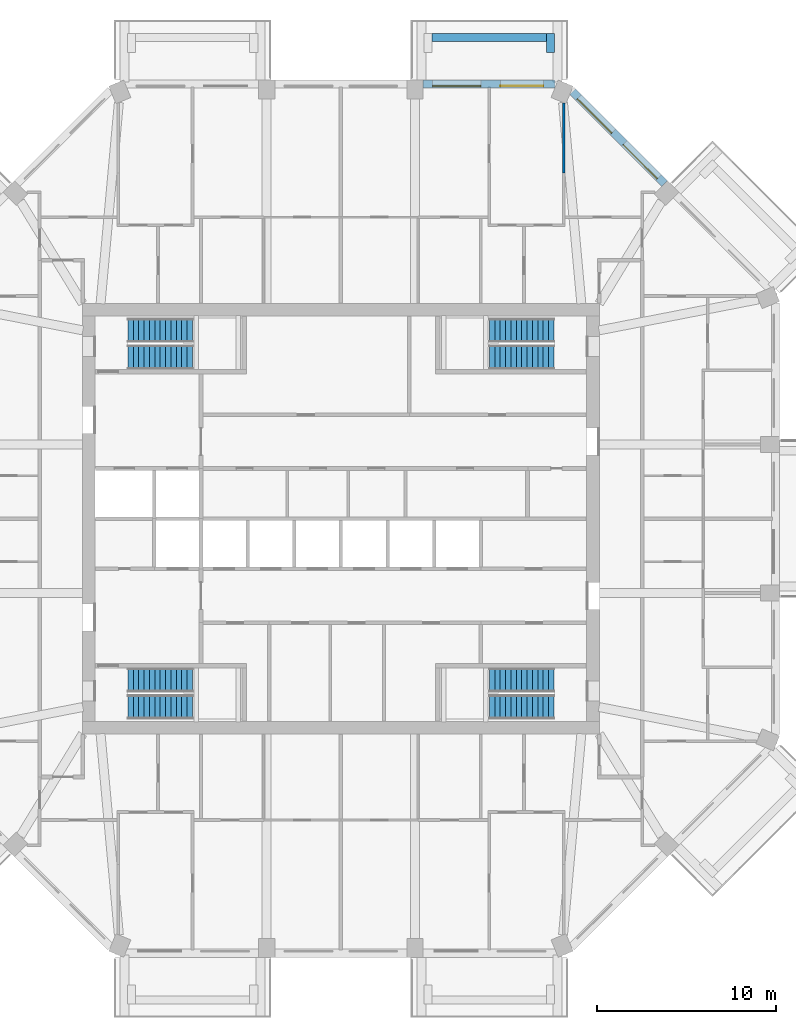
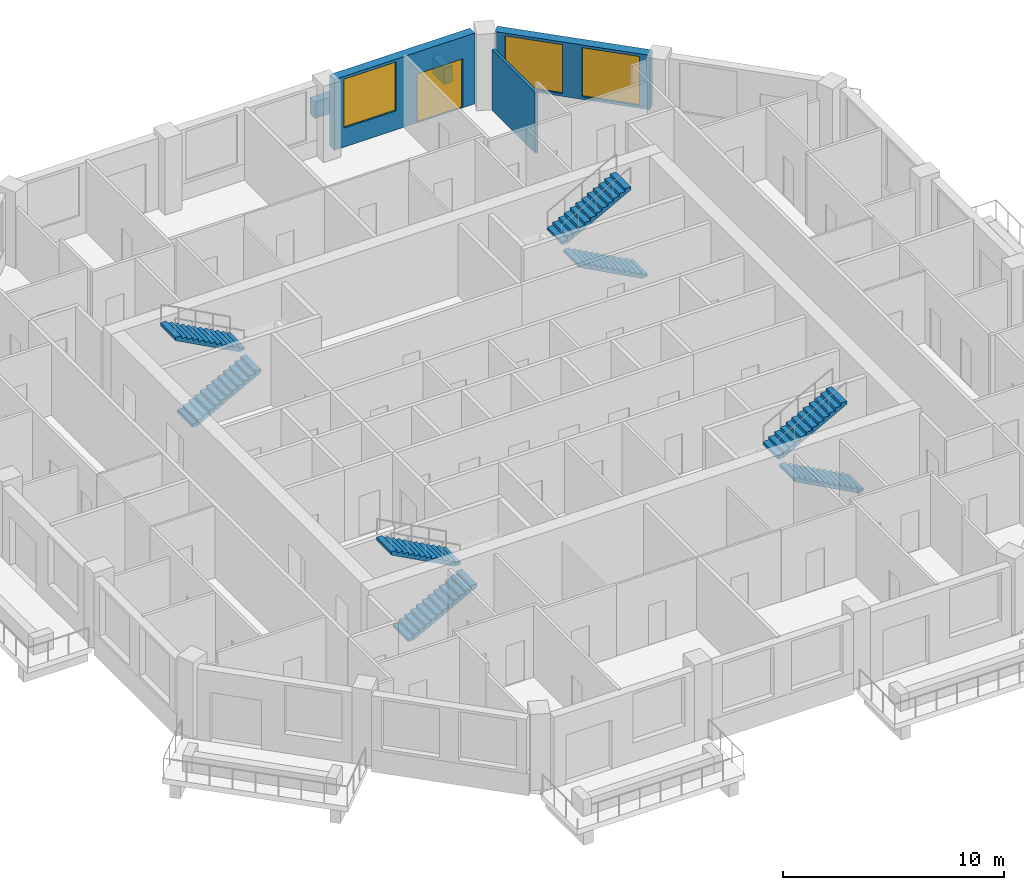
# One storey, part 10 of 12: 8 stair flights, 5 walls, 3 windows, 1 door, 4 openings, 4 elements without a shape of their own.
"""IFC4 building model written with IfcOpenShell, lengths in metres."""

import ifcopenshell
import ifcopenshell.guid

model = None  # the IFC model being written
_history = None  # IfcOwnerHistory: only IFC2X3 demands one
_inside = {}  # id of a spatial element -> (the spatial element, [elements in it])
_under = {}  # id of a project, library or spatial element -> (it, [spatial elements below it])
_declared = {}  # id of a project -> (the project, [libraries it declares])
_typed = {}  # id of a type object -> (the type object, [elements of that type])
_made_of = {}  # id of a material, layer set ... -> (it, [elements and type objects made of it])


def new_model(schema):
    """Start an empty IFC model of exactly this schema.

    Asked for "IFC4X3", IfcOpenShell would pick the latest addendum, in which some entities
    have other attributes; the version numbers below select the first issue.
    IFC2X3 requires an IfcOwnerHistory on every rooted entity: one is made here for all.
    """
    global model, _history
    if schema == "IFC4X3":
        model = ifcopenshell.file(schema_version=(4, 3, 0, 0))
    else:
        model = ifcopenshell.file(schema=schema)
    _inside.clear()
    _under.clear()
    _declared.clear()
    _typed.clear()
    _made_of.clear()
    _history = None
    if model.schema == "IFC2X3":
        org = make("IfcOrganization", Name="unknown")
        user = make(
            "IfcPersonAndOrganization",
            ThePerson=make("IfcPerson", FamilyName="unknown"),
            TheOrganization=org,
        )
        app = make(
            "IfcApplication",
            ApplicationDeveloper=org,
            Version="unknown",
            ApplicationFullName="unknown",
            ApplicationIdentifier="unknown",
        )
        _history = make(
            "IfcOwnerHistory",
            OwningUser=user,
            OwningApplication=app,
            ChangeAction="ADDED",
            CreationDate=0,
        )
    return model


def make(cls, **values):
    """One entity of the class cls with the attributes given. An attribute that is None is left unset."""
    return model.create_entity(
        cls, **{name: value for name, value in values.items() if value is not None}
    )


def rooted(cls, **values):
    """An entity with a GlobalId (a new one), such as an element, a storey or a relation."""
    return make(cls, GlobalId=ifcopenshell.guid.new(), OwnerHistory=_history, **values)


def si_unit(unit_type, name, prefix=None):
    """IfcSIUnit, for example si_unit("LENGTHUNIT", "METRE", prefix="MILLI")."""
    return make("IfcSIUnit", UnitType=unit_type, Prefix=prefix, Name=name)


def assignment(units):
    """IfcUnitAssignment: the units of a project."""
    return None if units is None else make("IfcUnitAssignment", Units=units)


def point(xyz):
    """IfcCartesianPoint."""
    return None if xyz is None else make("IfcCartesianPoint", Coordinates=xyz)


def direction(xyz):
    """IfcDirection."""
    return None if xyz is None else make("IfcDirection", DirectionRatios=xyz)


def frame(location, z_axis=None, x_axis=None):
    """IfcAxis2Placement3D, a coordinate frame: its origin and axes. An axis left out is left unset."""
    return make(
        "IfcAxis2Placement3D",
        Location=point(location),
        Axis=direction(z_axis),
        RefDirection=direction(x_axis),
    )


def frame_2d(location, x_axis=None):
    """IfcAxis2Placement2D, a coordinate frame in the plane: its origin and x axis."""
    return make(
        "IfcAxis2Placement2D", Location=point(location), RefDirection=direction(x_axis)
    )


def origin():
    """The frame at (0, 0, 0) with its axes left unset."""
    return frame((0.0, 0.0, 0.0))


def place(relative_to, where):
    """IfcLocalPlacement: puts the frame where relative to a parent placement (None: the world)."""
    return make(
        "IfcLocalPlacement", PlacementRelTo=relative_to, RelativePlacement=where
    )


def context(
    kind, dimensions, precision=None, world=None, true_north=None, identifier=None
):
    """IfcGeometricRepresentationContext, for example the 3D "Model" context."""
    return make(
        "IfcGeometricRepresentationContext",
        ContextIdentifier=identifier,
        ContextType=kind,
        CoordinateSpaceDimension=dimensions,
        Precision=precision,
        WorldCoordinateSystem=world,
        TrueNorth=true_north,
    )


def subcontext(parent, identifier, kind, view, scale=None):
    """IfcGeometricRepresentationSubContext, for example "Body" below "Model"."""
    return make(
        "IfcGeometricRepresentationSubContext",
        ContextIdentifier=identifier,
        ContextType=kind,
        ParentContext=parent,
        TargetScale=scale,
        TargetView=view,
    )


def project(units=None, contexts=None):
    """IfcProject with its units and contexts."""
    return rooted(
        "IfcProject",
        Name="project",
        RepresentationContexts=contexts,
        UnitsInContext=assignment(units),
    )


def spatial(cls, under=None, at=None, **own):
    """A site, building, storey or space (cls), placed at a placement, below another one or the project."""
    s = rooted(cls, ObjectPlacement=at, **own)
    if under is not None:
        _under.setdefault(under.id(), (under, []))[1].append(s)
    return s


def polyline(points):
    """IfcPolyline through the points."""
    return make("IfcPolyline", Points=[point(p) for p in points])


def profile(cls, at=None, kind="AREA", **sizes):
    """A parametric profile (cls). Its sizes go by their IFC names, for example OverallWidth=200.0."""
    return make(cls, ProfileType=kind, Position=at, **sizes)


def rectangle(**sizes):
    """IfcRectangleProfileDef."""
    return profile("IfcRectangleProfileDef", **sizes)


def outline(outer, holes=None, kind="AREA"):
    """IfcArbitraryClosedProfileDef: a profile drawn as a closed curve; with holes, ...WithVoids."""
    if holes is None:
        return make("IfcArbitraryClosedProfileDef", ProfileType=kind, OuterCurve=outer)
    return make(
        "IfcArbitraryProfileDefWithVoids",
        ProfileType=kind,
        OuterCurve=outer,
        InnerCurves=holes,
    )


def extrude(swept, where, along, depth):
    """IfcExtrudedAreaSolid: the profile swept, set in the frame where, extruded along a direction by depth."""
    return make(
        "IfcExtrudedAreaSolid",
        SweptArea=swept,
        Position=where,
        ExtrudedDirection=direction(along),
        Depth=depth,
    )


def shape(context_of_items, identifier, shape_type, items):
    """IfcShapeRepresentation: the items that make up one representation, for example the "Body"."""
    return make(
        "IfcShapeRepresentation",
        ContextOfItems=context_of_items,
        RepresentationIdentifier=identifier,
        RepresentationType=shape_type,
        Items=items,
    )


def material(Name=None, Category=None):
    """IfcMaterial."""
    return make("IfcMaterial", Name=Name, Category=Category)


def layer(
    of_material, thickness, ventilated=None, Name=None, Category=None, Priority=None
):
    """IfcMaterialLayer: one layer of a wall or slab, of a material (None: an air gap)."""
    return make(
        "IfcMaterialLayer",
        Material=of_material,
        LayerThickness=thickness,
        IsVentilated=ventilated,
        Name=Name,
        Category=Category,
        Priority=Priority,
    )


def layer_set(layers, Name=None):
    """IfcMaterialLayerSet."""
    return make("IfcMaterialLayerSet", MaterialLayers=layers, LayerSetName=Name)


def made_of(thing, what):
    """Note that an element or type object is made of a material, layer set ...; save() writes the relation."""
    if what is not None:
        _made_of.setdefault(what.id(), (what, []))[1].append(thing)
    return thing


def type_object(cls, material=None, **own):
    """A type object (cls), such as IfcWallType, which elements share."""
    return made_of(rooted(cls, **own), material)


def element(
    cls,
    number,
    at=None,
    inside=None,
    cuts=None,
    type_object=None,
    material=None,
    context=None,
    identifier="Body",
    shape_type=None,
    held_by="IfcProductDefinitionShape",
    body=None,
    shapes=None,
    **own,
):
    """One element of the class cls, such as IfcWall. Its Tag is "e" and its number.

    at: its placement. inside: the storey or other place that contains it. cuts: it is an
    opening in that element (IfcRelVoidsElement). A single representation is given by context,
    identifier, shape_type and body (its items); several are given by shapes. held_by: the class
    of the entity that holds the representations. save() writes the other relations.
    """
    e = rooted(cls, Tag="e%d" % number, ObjectPlacement=at, **own)
    if body is not None:
        shapes = [shape(context, identifier, shape_type, body)]
    if shapes is not None:
        e.Representation = make(held_by, Representations=shapes)
    if inside is not None:
        _inside.setdefault(inside.id(), (inside, []))[1].append(e)
    if cuts is not None:
        rooted(
            "IfcRelVoidsElement", RelatingBuildingElement=cuts, RelatedOpeningElement=e
        )
    if type_object is not None:
        _typed.setdefault(type_object.id(), (type_object, []))[1].append(e)
    return made_of(e, material)


def fill(opening, filler):
    """IfcRelFillsElement: the door or window that sits in an opening."""
    return rooted(
        "IfcRelFillsElement",
        RelatingOpeningElement=opening,
        RelatedBuildingElement=filler,
    )


def aggregate(whole, parts):
    """IfcRelAggregates: a whole, such as a stair, and the parts it consists of."""
    return rooted("IfcRelAggregates", RelatingObject=whole, RelatedObjects=parts)


def save(model, path):
    """Write the relations noted so far, then the file.

    IfcRelAggregates (storeys below a building ...), IfcRelContainedInSpatialStructure (elements
    in a storey), IfcRelDefinesByType, IfcRelAssociatesMaterial and IfcRelDeclares: one each for
    every whole, place, type object, material and project.
    """
    for whole, parts in _under.values():
        aggregate(whole, parts)
    for where, things in _inside.values():
        rooted(
            "IfcRelContainedInSpatialStructure",
            RelatedElements=things,
            RelatingStructure=where,
        )
    for kind, things in _typed.values():
        rooted("IfcRelDefinesByType", RelatedObjects=things, RelatingType=kind)
    for what, things in _made_of.values():
        rooted("IfcRelAssociatesMaterial", RelatedObjects=things, RelatingMaterial=what)
    for by, libraries in _declared.values():
        rooted("IfcRelDeclares", RelatingContext=by, RelatedDefinitions=libraries)
    model.write(path)


model = new_model("IFC4")

# Units and contexts
model_context = context("Model", 3, precision=1e-05, world=origin(), true_north=direction((0.0, 1.0)))
body_context = subcontext(model_context, "Body", "Model", "MODEL_VIEW")
ifc_project = project(units=[si_unit("LENGTHUNIT", "METRE"), si_unit("AREAUNIT", "SQUARE_METRE"), si_unit("VOLUMEUNIT", "CUBIC_METRE"), si_unit("PLANEANGLEUNIT", "RADIAN"), si_unit("MASSUNIT", "GRAM", prefix="KILO")], contexts=[model_context])

# Site, building, storey
site_placement = place(None, origin())
site = spatial("IfcSite", under=ifc_project, at=site_placement, CompositionType="ELEMENT")
building_placement = place(site_placement, origin())
building = spatial("IfcBuilding", under=site, at=building_placement, Name="Msitu Wima Residences", CompositionType="ELEMENT")
storey_placement = place(building_placement, frame((0.0, 0.0, 174.89990234375)))
storey = spatial("IfcBuildingStorey", under=building, at=storey_placement, Name="L40", CompositionType="ELEMENT", Elevation=174.89990234375)

# Walls
ifc_material_1 = material(Name="Facing brick")
ifc_layer_1 = layer(ifc_material_1, 0.06494140625, Name="Facing brick")
ifc_material_2 = material(Name="Concrete C40/50", Category="concrete")
ifc_layer_2 = layer(ifc_material_2, 0.156005859375, Name="Concrete C40/50")
ifc_material_3 = material(Name="Waterproofing membrane")
ifc_layer_3 = layer(ifc_material_3, 0.00390625, Name="Waterproofing membrane")
ifc_material_4 = material(Name="Planting soil and planting")
ifc_layer_4 = layer(ifc_material_4, 0.22509765625, Name="Planting soil and planting")
ifc_layer_set_1 = layer_set([ifc_layer_1, ifc_layer_2, ifc_layer_3, ifc_layer_4], Name="Concrete C40/50")
wall_type_1 = type_object("IfcWallType", Name="Balcony planter PLANTER PL450", PredefinedType="USERDEFINED", material=ifc_layer_set_1)
wall_1_placement = place(storey_placement, frame((11.461669921875, 26.824951171875, 0.0), z_axis=(0.0, 0.0, 1.0), x_axis=(-1.0, 0.0, 0.0)))
element("IfcWall", 1, at=wall_1_placement, inside=storey, type_object=wall_type_1, Name="Balcony planter N0 L40", ObjectType="PLANTER", PredefinedType="USERDEFINED", context=body_context, shape_type="SweptSolid", body=[
    extrude(rectangle(XDim=6.37451171875, YDim=0.449951171875, at=frame_2d((3.187255859375, 0.0))), origin(), (0.0, 0.0, 1.0), 0.900146484375),
])
wall_2_placement = place(storey_placement, frame((11.686767578125, 26.0, 0.0), z_axis=(0.0, 0.0, 1.0), x_axis=(0.0, 1.0, 0.0)))
element("IfcWall", 2, at=wall_2_placement, inside=storey, type_object=wall_type_1, Name="Balcony planter N0 L40", ObjectType="PLANTER", PredefinedType="USERDEFINED", context=body_context, shape_type="SweptSolid", body=[
    extrude(rectangle(XDim=1.050048828125, YDim=0.449951171875, at=frame_2d((0.52490234375, 0.0))), origin(), (0.0, 0.0, 1.0), 0.900146484375),
])

# Wall, openings, windows
ifc_material_5 = material(Name="Brick (red buff mix)", Category="masonry")
ifc_layer_5 = layer(ifc_material_5, 0.449951171875)
ifc_layer_set_2 = layer_set([ifc_layer_5], Name="Brick (red buff mix)")
wall_type_2 = type_object("IfcWallType", Name="Brick infill wall BW450", PredefinedType="SOLIDWALL", material=ifc_layer_set_2)
wall_3_placement = place(storey_placement, frame((18.046875, 18.68310546875, 0.900146484375), z_axis=(0.0, 0.0, 1.0), x_axis=(-0.707106781187, 0.707106781187, 0.0)))
wall_3 = element("IfcWall", 3, at=wall_3_placement, inside=storey, type_object=wall_type_2, Name="Brick infill wall L40 NE1", PredefinedType="SOLIDWALL", context=body_context, shape_type="SweptSolid", body=[
    extrude(rectangle(XDim=7.257080078125, YDim=0.449951171875, at=frame_2d((3.62841796875, 0.0))), origin(), (0.0, 0.0, 1.0), 3.0),
])
opening_1_placement = place(wall_3_placement, frame((0.478515625, 0.0, 0.14990234375)))
opening_1 = element("IfcOpeningElement", 4, at=opening_1_placement, cuts=wall_3, Name="Opening W40-42.011", PredefinedType="OPENING", context=body_context, shape_type="SweptSolid", body=[
    extrude(rectangle(XDim=2.699951171875, YDim=2.699951171875, at=frame_2d((1.35009765625, 1.35009765625))), frame((0.0, 0.23486328125, 0.0), z_axis=(0.0, -1.0, 0.0), x_axis=(1.0, 0.0, 0.0)), (0.0, 0.0, 1.0), 0.469970703125),
])
opening_2_placement = place(wall_3_placement, frame((4.07861328125, 0.0, 0.14990234375)))
opening_2 = element("IfcOpeningElement", 5, at=opening_2_placement, cuts=wall_3, Name="Opening W40-42.012", PredefinedType="OPENING", context=body_context, shape_type="SweptSolid", body=[
    extrude(rectangle(XDim=2.699951171875, YDim=2.699951171875, at=frame_2d((1.35009765625, 1.35009765625))), frame((0.0, 0.23486328125, 0.0), z_axis=(0.0, -1.0, 0.0), x_axis=(1.0, 0.0, 0.0)), (0.0, 0.0, 1.0), 0.469970703125),
])
ifc_material_6 = material(Name="Anodised aluminium, bronze finish, clear low-emissivity double glazing", Category="aluminium")
window_type = type_object("IfcWindowType", Name="Window W2700x2700", PartitioningType="DOUBLE_PANEL_VERTICAL", PredefinedType="WINDOW", material=ifc_material_6)
window_1_placement = place(opening_1_placement, origin())
window_1 = element("IfcWindow", 6, at=window_1_placement, inside=storey, type_object=window_type, Name="Window L40 NE1.1", OverallHeight=2.699951171875, OverallWidth=2.699951171875, PartitioningType="SINGLE_PANEL", PredefinedType="WINDOW", context=body_context, shape_type="SweptSolid", body=[
    extrude(rectangle(XDim=2.699951171875, YDim=2.699951171875, at=frame_2d((1.35009765625, 1.35009765625))), frame((0.0, 0.135009765625, 0.0), z_axis=(0.0, -1.0, 0.0), x_axis=(1.0, 0.0, 0.0)), (0.0, 0.0, 1.0), 0.06005859375),
])
fill(opening_1, window_1)
window_2_placement = place(opening_2_placement, origin())
window_2 = element("IfcWindow", 7, at=window_2_placement, inside=storey, type_object=window_type, Name="Window L40 NE1.2", OverallHeight=2.699951171875, OverallWidth=2.699951171875, PartitioningType="SINGLE_PANEL", PredefinedType="WINDOW", context=body_context, shape_type="SweptSolid", body=[
    extrude(rectangle(XDim=2.699951171875, YDim=2.699951171875, at=frame_2d((1.35009765625, 1.35009765625))), frame((0.0, 0.135009765625, 0.0), z_axis=(0.0, -1.0, 0.0), x_axis=(1.0, 0.0, 0.0)), (0.0, 0.0, 1.0), 0.06005859375),
])
fill(opening_2, window_2)

# Wall, openings, door, window
wall_4_placement = place(storey_placement, frame((11.9248046875, 24.22509765625, 0.0), z_axis=(0.0, 0.0, 1.0), x_axis=(-1.0, 0.0, 0.0)))
wall_4 = element("IfcWall", 8, at=wall_4_placement, inside=storey, type_object=wall_type_2, Name="Brick infill wall L40 N0", PredefinedType="SOLIDWALL", context=body_context, shape_type="SweptSolid", body=[
    extrude(rectangle(XDim=7.337646484375, YDim=0.449951171875, at=frame_2d((3.6689453125, 0.0))), origin(), (0.0, 0.0, 1.0), 3.900146484375),
])
opening_3_placement = place(wall_4_placement, frame((0.63427734375, 0.0, 0.0)))
opening_3 = element("IfcOpeningElement", 9, at=opening_3_placement, cuts=wall_4, Name="Opening D40-42.002", PredefinedType="OPENING", context=body_context, shape_type="SweptSolid", body=[
    extrude(rectangle(XDim=2.39990234375, YDim=2.699951171875, at=frame_2d((1.199951171875, 1.35009765625))), frame((0.0, 0.23486328125, 0.0), z_axis=(0.0, -1.0, 0.0), x_axis=(1.0, 0.0, 0.0)), (0.0, 0.0, 1.0), 0.469970703125),
])
opening_4_placement = place(wall_4_placement, frame((4.11865234375, 0.0, 1.050048828125)))
opening_4 = element("IfcOpeningElement", 10, at=opening_4_placement, cuts=wall_4, Name="Opening W40-42.006", PredefinedType="OPENING", context=body_context, shape_type="SweptSolid", body=[
    extrude(rectangle(XDim=2.699951171875, YDim=2.699951171875, at=frame_2d((1.35009765625, 1.35009765625))), frame((0.0, 0.23486328125, 0.0), z_axis=(0.0, -1.0, 0.0), x_axis=(1.0, 0.0, 0.0)), (0.0, 0.0, 1.0), 0.469970703125),
])
door_type = type_object("IfcDoorType", Name="Balcony door D2400x2700", OperationType="SLIDING_TO_LEFT", PredefinedType="DOOR", material=ifc_material_6)
door_placement = place(opening_3_placement, origin())
door = element("IfcDoor", 11, at=door_placement, inside=storey, type_object=door_type, Name="Balcony door L40 N0", OperationType="SINGLE_SWING_LEFT", OverallHeight=2.699951171875, OverallWidth=2.39990234375, PredefinedType="DOOR", context=body_context, shape_type="SweptSolid", body=[
    extrude(rectangle(XDim=2.39990234375, YDim=2.699951171875, at=frame_2d((1.199951171875, 1.35009765625))), frame((0.0, 0.1298828125, 0.0), z_axis=(0.0, -1.0, 0.0), x_axis=(1.0, 0.0, 0.0)), (0.0, 0.0, 1.0), 0.050048828125),
])
fill(opening_3, door)
window_3_placement = place(opening_4_placement, origin())
window_3 = element("IfcWindow", 12, at=window_3_placement, inside=storey, type_object=window_type, Name="Window L40 N0.2", OverallHeight=2.699951171875, OverallWidth=2.699951171875, PartitioningType="SINGLE_PANEL", PredefinedType="WINDOW", context=body_context, shape_type="SweptSolid", body=[
    extrude(rectangle(XDim=2.699951171875, YDim=2.699951171875, at=frame_2d((1.35009765625, 1.35009765625))), frame((0.0, 0.135009765625, 0.0), z_axis=(0.0, -1.0, 0.0), x_axis=(1.0, 0.0, 0.0)), (0.0, 0.0, 1.0), 0.06005859375),
])
fill(opening_4, window_3)

# Wall
ifc_material_7 = material(Name="Plaster")
ifc_layer_6 = layer(ifc_material_7, 0.011962890625, Name="Plaster")
ifc_material_8 = material(Name="Concrete blockwork", Category="masonry")
ifc_layer_7 = layer(ifc_material_8, 0.1259765625, Name="Concrete blockwork")
ifc_layer_8 = layer(ifc_material_7, 0.011962890625, Name="Plaster")
ifc_layer_set_3 = layer_set([ifc_layer_6, ifc_layer_7, ifc_layer_8], Name="Concrete blockwork")
wall_type_3 = type_object("IfcWallType", Name="Partition PW150", PredefinedType="PARTITIONING", material=ifc_layer_set_3)
wall_5_placement = place(storey_placement, frame((12.411865234375, 19.2705078125, 0.0), z_axis=(0.0, 0.0, 1.0), x_axis=(0.0, 1.0, 0.0)))
element("IfcWall", 13, at=wall_5_placement, inside=storey, type_object=wall_type_3, Name="Partition", PredefinedType="PARTITIONING", context=body_context, shape_type="SweptSolid", body=[
    extrude(rectangle(XDim=3.8984375, YDim=0.14990234375, at=frame_2d((1.94921875, 0.0))), origin(), (0.0, 0.0, 1.0), 3.35009765625),
])

# Stair, stair flights
stair_type = type_object("IfcStairType", Name="Exit stair ES1615-135", PredefinedType="HALF_TURN_STAIR", material=ifc_material_2)
stair_1_placement = place(storey_placement, origin())
stair_1 = element("IfcStair", 14, at=stair_1_placement, inside=storey, type_object=stair_type, Name="Exit stair 1", PredefinedType="HALF_TURN_STAIR")
stair_flight_type = type_object("IfcStairFlightType", Name="Exit stair flight ES1615-135", PredefinedType="STRAIGHT", material=ifc_material_2)
stair_flight_1_placement = place(storey_placement, frame((-11.875, 9.0, 0.0), z_axis=(0.0, 0.0, 1.0), x_axis=(1.0, 0.0, 0.0)))
stair_flight_1 = element("IfcStairFlight", 15, at=stair_flight_1_placement, type_object=stair_flight_type, Name="S1 flight 1", NumberOfRisers=13, NumberOfTreads=12, PredefinedType="STRAIGHT", RiserHeight=0.161538462, TreadLength=0.3, context=body_context, shape_type="SweptSolid", body=[
    extrude(outline(polyline([(0.0, 0.0), (0.0, 0.16162109375), (0.300048828125, 0.16162109375), (0.300048828125, 0.322998046875), (0.60009765625, 0.322998046875), (0.60009765625, 0.484619140625), (0.89990234375, 0.484619140625), (0.89990234375, 0.646240234375), (1.199951171875, 0.646240234375), (1.199951171875, 0.8076171875), (1.5, 0.8076171875), (1.5, 0.96923828125), (1.800048828125, 0.96923828125), (1.800048828125, 1.130859375), (2.10009765625, 1.130859375), (2.10009765625, 1.292236328125), (2.39990234375, 1.292236328125), (2.39990234375, 1.453857421875), (2.699951171875, 1.453857421875), (2.699951171875, 1.615478515625), (3.0, 1.615478515625), (3.0, 1.77685546875), (3.300048828125, 1.77685546875), (3.300048828125, 1.9384765625), (3.60009765625, 1.9384765625), (3.60009765625, 2.10009765625), (3.60009765625, 1.768310546875), (0.316162109375, 0.0), (0.0, 0.0)])), frame((0.0, 0.675048828125, 0.0), z_axis=(0.0, -1.0, 0.0), x_axis=(1.0, 0.0, 0.0)), (0.0, 0.0, 1.0), 1.35009765625),
])
stair_flight_2_placement = place(storey_placement, frame((-8.27490234375, 10.5, 2.10009765625), z_axis=(0.0, 0.0, 1.0), x_axis=(-1.0, 0.0, 0.0)))
stair_flight_2 = element("IfcStairFlight", 16, at=stair_flight_2_placement, type_object=stair_flight_type, Name="S1 flight 2", NumberOfRisers=13, NumberOfTreads=12, PredefinedType="STRAIGHT", RiserHeight=0.161538462, TreadLength=0.3, context=body_context, shape_type="SweptSolid", body=[
    extrude(outline(polyline([(0.0, 0.0), (0.0, 0.16162109375), (0.300048828125, 0.16162109375), (0.300048828125, 0.322998046875), (0.60009765625, 0.322998046875), (0.60009765625, 0.484619140625), (0.89990234375, 0.484619140625), (0.89990234375, 0.646240234375), (1.199951171875, 0.646240234375), (1.199951171875, 0.8076171875), (1.5, 0.8076171875), (1.5, 0.96923828125), (1.800048828125, 0.96923828125), (1.800048828125, 1.130859375), (2.10009765625, 1.130859375), (2.10009765625, 1.292236328125), (2.39990234375, 1.292236328125), (2.39990234375, 1.453857421875), (2.699951171875, 1.453857421875), (2.699951171875, 1.615478515625), (3.0, 1.615478515625), (3.0, 1.77685546875), (3.300048828125, 1.77685546875), (3.300048828125, 1.9384765625), (3.60009765625, 1.9384765625), (3.60009765625, 2.10009765625), (3.60009765625, 1.768310546875), (0.316162109375, 0.0), (0.0, 0.0)])), frame((0.0, 0.675048828125, 0.0), z_axis=(0.0, -1.0, 0.0), x_axis=(1.0, 0.0, 0.0)), (0.0, 0.0, 1.0), 1.35009765625),
])
aggregate(stair_1, [stair_flight_1, stair_flight_2])

stair_2_placement = place(storey_placement, origin())
stair_2 = element("IfcStair", 17, at=stair_2_placement, inside=storey, type_object=stair_type, Name="Exit stair 2", PredefinedType="HALF_TURN_STAIR")
stair_flight_3_placement = place(storey_placement, frame((-11.875, -10.5, 0.0), z_axis=(0.0, 0.0, 1.0), x_axis=(1.0, 0.0, 0.0)))
stair_flight_3 = element("IfcStairFlight", 18, at=stair_flight_3_placement, type_object=stair_flight_type, Name="S2 flight 1", NumberOfRisers=13, NumberOfTreads=12, PredefinedType="STRAIGHT", RiserHeight=0.161538462, TreadLength=0.3, context=body_context, shape_type="SweptSolid", body=[
    extrude(outline(polyline([(0.0, 0.0), (0.0, 0.16162109375), (0.300048828125, 0.16162109375), (0.300048828125, 0.322998046875), (0.60009765625, 0.322998046875), (0.60009765625, 0.484619140625), (0.89990234375, 0.484619140625), (0.89990234375, 0.646240234375), (1.199951171875, 0.646240234375), (1.199951171875, 0.8076171875), (1.5, 0.8076171875), (1.5, 0.96923828125), (1.800048828125, 0.96923828125), (1.800048828125, 1.130859375), (2.10009765625, 1.130859375), (2.10009765625, 1.292236328125), (2.39990234375, 1.292236328125), (2.39990234375, 1.453857421875), (2.699951171875, 1.453857421875), (2.699951171875, 1.615478515625), (3.0, 1.615478515625), (3.0, 1.77685546875), (3.300048828125, 1.77685546875), (3.300048828125, 1.9384765625), (3.60009765625, 1.9384765625), (3.60009765625, 2.10009765625), (3.60009765625, 1.768310546875), (0.316162109375, 0.0), (0.0, 0.0)])), frame((0.0, 0.675048828125, 0.0), z_axis=(0.0, -1.0, 0.0), x_axis=(1.0, 0.0, 0.0)), (0.0, 0.0, 1.0), 1.35009765625),
])
stair_flight_4_placement = place(storey_placement, frame((-8.27490234375, -9.0, 2.10009765625), z_axis=(0.0, 0.0, 1.0), x_axis=(-1.0, 0.0, 0.0)))
stair_flight_4 = element("IfcStairFlight", 19, at=stair_flight_4_placement, type_object=stair_flight_type, Name="S2 flight 2", NumberOfRisers=13, NumberOfTreads=12, PredefinedType="STRAIGHT", RiserHeight=0.161538462, TreadLength=0.3, context=body_context, shape_type="SweptSolid", body=[
    extrude(outline(polyline([(0.0, 0.0), (0.0, 0.16162109375), (0.300048828125, 0.16162109375), (0.300048828125, 0.322998046875), (0.60009765625, 0.322998046875), (0.60009765625, 0.484619140625), (0.89990234375, 0.484619140625), (0.89990234375, 0.646240234375), (1.199951171875, 0.646240234375), (1.199951171875, 0.8076171875), (1.5, 0.8076171875), (1.5, 0.96923828125), (1.800048828125, 0.96923828125), (1.800048828125, 1.130859375), (2.10009765625, 1.130859375), (2.10009765625, 1.292236328125), (2.39990234375, 1.292236328125), (2.39990234375, 1.453857421875), (2.699951171875, 1.453857421875), (2.699951171875, 1.615478515625), (3.0, 1.615478515625), (3.0, 1.77685546875), (3.300048828125, 1.77685546875), (3.300048828125, 1.9384765625), (3.60009765625, 1.9384765625), (3.60009765625, 2.10009765625), (3.60009765625, 1.768310546875), (0.316162109375, 0.0), (0.0, 0.0)])), frame((0.0, 0.675048828125, 0.0), z_axis=(0.0, -1.0, 0.0), x_axis=(1.0, 0.0, 0.0)), (0.0, 0.0, 1.0), 1.35009765625),
])
aggregate(stair_2, [stair_flight_3, stair_flight_4])

stair_3_placement = place(storey_placement, origin())
stair_3 = element("IfcStair", 20, at=stair_3_placement, inside=storey, type_object=stair_type, Name="Exit stair 3", PredefinedType="HALF_TURN_STAIR")
stair_flight_5_placement = place(storey_placement, frame((11.875, 9.0, 0.0), z_axis=(0.0, 0.0, 1.0), x_axis=(-1.0, 0.0, 0.0)))
stair_flight_5 = element("IfcStairFlight", 21, at=stair_flight_5_placement, type_object=stair_flight_type, Name="S3 flight 1", NumberOfRisers=13, NumberOfTreads=12, PredefinedType="STRAIGHT", RiserHeight=0.161538462, TreadLength=0.3, context=body_context, shape_type="SweptSolid", body=[
    extrude(outline(polyline([(0.0, 0.0), (0.0, 0.16162109375), (0.300048828125, 0.16162109375), (0.300048828125, 0.322998046875), (0.60009765625, 0.322998046875), (0.60009765625, 0.484619140625), (0.89990234375, 0.484619140625), (0.89990234375, 0.646240234375), (1.199951171875, 0.646240234375), (1.199951171875, 0.8076171875), (1.5, 0.8076171875), (1.5, 0.96923828125), (1.800048828125, 0.96923828125), (1.800048828125, 1.130859375), (2.10009765625, 1.130859375), (2.10009765625, 1.292236328125), (2.39990234375, 1.292236328125), (2.39990234375, 1.453857421875), (2.699951171875, 1.453857421875), (2.699951171875, 1.615478515625), (3.0, 1.615478515625), (3.0, 1.77685546875), (3.300048828125, 1.77685546875), (3.300048828125, 1.9384765625), (3.60009765625, 1.9384765625), (3.60009765625, 2.10009765625), (3.60009765625, 1.768310546875), (0.316162109375, 0.0), (0.0, 0.0)])), frame((0.0, 0.675048828125, 0.0), z_axis=(0.0, -1.0, 0.0), x_axis=(1.0, 0.0, 0.0)), (0.0, 0.0, 1.0), 1.35009765625),
])
stair_flight_6_placement = place(storey_placement, frame((8.27490234375, 10.5, 2.10009765625), z_axis=(0.0, 0.0, 1.0), x_axis=(1.0, 0.0, 0.0)))
stair_flight_6 = element("IfcStairFlight", 22, at=stair_flight_6_placement, type_object=stair_flight_type, Name="S3 flight 2", NumberOfRisers=13, NumberOfTreads=12, PredefinedType="STRAIGHT", RiserHeight=0.161538462, TreadLength=0.3, context=body_context, shape_type="SweptSolid", body=[
    extrude(outline(polyline([(0.0, 0.0), (0.0, 0.16162109375), (0.300048828125, 0.16162109375), (0.300048828125, 0.322998046875), (0.60009765625, 0.322998046875), (0.60009765625, 0.484619140625), (0.89990234375, 0.484619140625), (0.89990234375, 0.646240234375), (1.199951171875, 0.646240234375), (1.199951171875, 0.8076171875), (1.5, 0.8076171875), (1.5, 0.96923828125), (1.800048828125, 0.96923828125), (1.800048828125, 1.130859375), (2.10009765625, 1.130859375), (2.10009765625, 1.292236328125), (2.39990234375, 1.292236328125), (2.39990234375, 1.453857421875), (2.699951171875, 1.453857421875), (2.699951171875, 1.615478515625), (3.0, 1.615478515625), (3.0, 1.77685546875), (3.300048828125, 1.77685546875), (3.300048828125, 1.9384765625), (3.60009765625, 1.9384765625), (3.60009765625, 2.10009765625), (3.60009765625, 1.768310546875), (0.316162109375, 0.0), (0.0, 0.0)])), frame((0.0, 0.675048828125, 0.0), z_axis=(0.0, -1.0, 0.0), x_axis=(1.0, 0.0, 0.0)), (0.0, 0.0, 1.0), 1.35009765625),
])
aggregate(stair_3, [stair_flight_5, stair_flight_6])

stair_4_placement = place(storey_placement, origin())
stair_4 = element("IfcStair", 23, at=stair_4_placement, inside=storey, type_object=stair_type, Name="Exit stair 4", PredefinedType="HALF_TURN_STAIR")
stair_flight_7_placement = place(storey_placement, frame((11.875, -10.5, 0.0), z_axis=(0.0, 0.0, 1.0), x_axis=(-1.0, 0.0, 0.0)))
stair_flight_7 = element("IfcStairFlight", 24, at=stair_flight_7_placement, type_object=stair_flight_type, Name="S4 flight 1", NumberOfRisers=13, NumberOfTreads=12, PredefinedType="STRAIGHT", RiserHeight=0.161538462, TreadLength=0.3, context=body_context, shape_type="SweptSolid", body=[
    extrude(outline(polyline([(0.0, 0.0), (0.0, 0.16162109375), (0.300048828125, 0.16162109375), (0.300048828125, 0.322998046875), (0.60009765625, 0.322998046875), (0.60009765625, 0.484619140625), (0.89990234375, 0.484619140625), (0.89990234375, 0.646240234375), (1.199951171875, 0.646240234375), (1.199951171875, 0.8076171875), (1.5, 0.8076171875), (1.5, 0.96923828125), (1.800048828125, 0.96923828125), (1.800048828125, 1.130859375), (2.10009765625, 1.130859375), (2.10009765625, 1.292236328125), (2.39990234375, 1.292236328125), (2.39990234375, 1.453857421875), (2.699951171875, 1.453857421875), (2.699951171875, 1.615478515625), (3.0, 1.615478515625), (3.0, 1.77685546875), (3.300048828125, 1.77685546875), (3.300048828125, 1.9384765625), (3.60009765625, 1.9384765625), (3.60009765625, 2.10009765625), (3.60009765625, 1.768310546875), (0.316162109375, 0.0), (0.0, 0.0)])), frame((0.0, 0.675048828125, 0.0), z_axis=(0.0, -1.0, 0.0), x_axis=(1.0, 0.0, 0.0)), (0.0, 0.0, 1.0), 1.35009765625),
])
stair_flight_8_placement = place(storey_placement, frame((8.27490234375, -9.0, 2.10009765625), z_axis=(0.0, 0.0, 1.0), x_axis=(1.0, 0.0, 0.0)))
stair_flight_8 = element("IfcStairFlight", 25, at=stair_flight_8_placement, type_object=stair_flight_type, Name="S4 flight 2", NumberOfRisers=13, NumberOfTreads=12, PredefinedType="STRAIGHT", RiserHeight=0.161538462, TreadLength=0.3, context=body_context, shape_type="SweptSolid", body=[
    extrude(outline(polyline([(0.0, 0.0), (0.0, 0.16162109375), (0.300048828125, 0.16162109375), (0.300048828125, 0.322998046875), (0.60009765625, 0.322998046875), (0.60009765625, 0.484619140625), (0.89990234375, 0.484619140625), (0.89990234375, 0.646240234375), (1.199951171875, 0.646240234375), (1.199951171875, 0.8076171875), (1.5, 0.8076171875), (1.5, 0.96923828125), (1.800048828125, 0.96923828125), (1.800048828125, 1.130859375), (2.10009765625, 1.130859375), (2.10009765625, 1.292236328125), (2.39990234375, 1.292236328125), (2.39990234375, 1.453857421875), (2.699951171875, 1.453857421875), (2.699951171875, 1.615478515625), (3.0, 1.615478515625), (3.0, 1.77685546875), (3.300048828125, 1.77685546875), (3.300048828125, 1.9384765625), (3.60009765625, 1.9384765625), (3.60009765625, 2.10009765625), (3.60009765625, 1.768310546875), (0.316162109375, 0.0), (0.0, 0.0)])), frame((0.0, 0.675048828125, 0.0), z_axis=(0.0, -1.0, 0.0), x_axis=(1.0, 0.0, 0.0)), (0.0, 0.0, 1.0), 1.35009765625),
])
aggregate(stair_4, [stair_flight_7, stair_flight_8])

save(model, "model.ifc")
